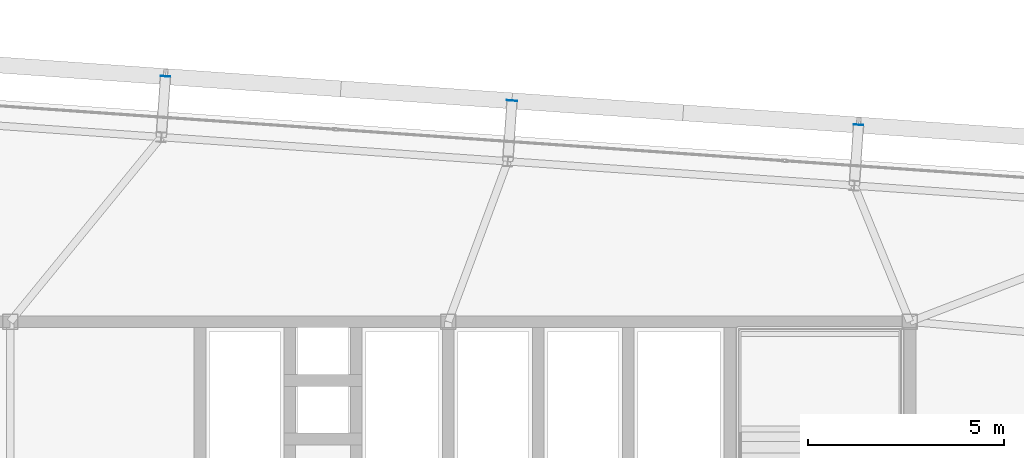
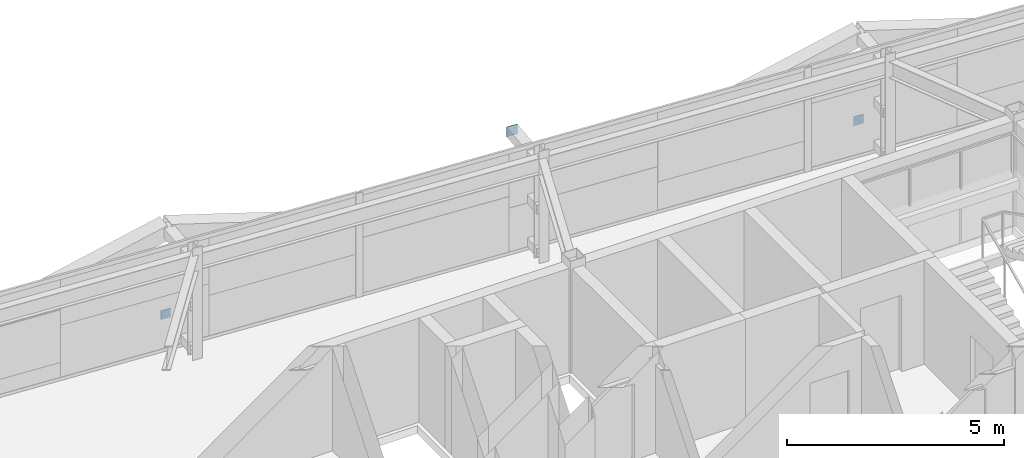
# One storey, part 33 of 39: 3 plates.
"""IFC4 building model written with IfcOpenShell, lengths in metres."""

from ifc_helpers import new_model, si_unit, direction, frame, origin, origin_2d, place, context, subcontext, project, spatial, rectangle, extrude, source, transform, mapped, material, layer, layer_set, type_object, element, save


model = new_model("IFC4")

# Units and contexts
model_context = context("Model", 3, precision=1e-05, world=origin(), true_north=direction((0.0, 1.0)))
body_context = subcontext(model_context, "Body", "Model", "MODEL_VIEW")
ifc_project = project(units=[si_unit("LENGTHUNIT", "METRE"), si_unit("AREAUNIT", "SQUARE_METRE"), si_unit("VOLUMEUNIT", "CUBIC_METRE"), si_unit("PLANEANGLEUNIT", "RADIAN"), si_unit("MASSUNIT", "GRAM", prefix="KILO")], contexts=[model_context])

# Site, building, storey
site_placement = place(None, origin())
site = spatial("IfcSite", under=ifc_project, at=site_placement, CompositionType="ELEMENT")
building_placement = place(site_placement, origin())
building = spatial("IfcBuilding", under=site, at=building_placement, Name="Taldren Reach Tower", CompositionType="ELEMENT")
storey_placement = place(building_placement, frame((0.0, 0.0, 129.85009765625)))
storey = spatial("IfcBuildingStorey", under=building, at=storey_placement, Name="L39", CompositionType="ELEMENT", Elevation=129.85009765625)

# Plates
ifc_material_1 = material(Name="Steel Gr 450 (C450L0)", Category="steel")
ifc_layer_1 = layer(ifc_material_1, 0.011962890625)
ifc_layer_set_1 = layer_set([ifc_layer_1], Name="Steel Gr 450 (C450L0)")
plate_type_1 = type_object("IfcPlateType", Name="PL-CAP-275", PredefinedType="SHEET", material=ifc_layer_set_1)
shared_shape_1 = source(origin(), body_context, "Body", "SweptSolid", [
    extrude(rectangle(XDim=0.27490234375, YDim=0.011962890625, at=origin_2d()), origin(), (0.0, 0.0, 1.0), 0.27490234375),
])
plate_placement = place(storey_placement, frame((40.828125, 37.652587890625, 2.512451171875), z_axis=(0.0, 0.0, 1.0), x_axis=(0.99756405026, -0.069756473744, 0.0)))
element("IfcPlate", 1, at=plate_placement, inside=storey, type_object=plate_type_1, Name="Tie strut end cap plate B3-N4 L39", PredefinedType="SHEET", context=body_context, shape_type="MappedRepresentation", body=[
    mapped(shared_shape_1, transform((0.0, 0.0, 0.0), scale=1.0)),
])
ifc_material_2 = material(Name="Steel Gr 350 (C350L0)", Category="steel")
ifc_layer_2 = layer(ifc_material_2, 0.011962890625)
ifc_layer_set_2 = layer_set([ifc_layer_2], Name="Steel Gr 350 (C350L0)")
plate_type_2 = type_object("IfcPlateType", Name="PL-CAP-250", PredefinedType="SHEET", material=ifc_layer_set_2)
shared_shape_2 = source(origin(), body_context, "Body", "SweptSolid", [
    extrude(rectangle(XDim=0.25, YDim=0.011962890625, at=origin_2d()), origin(), (0.0, 0.0, 1.0), 0.25),
])
for number, where, z_axis, x_axis, name in (
    (2, (31.969970703125, 38.272216796875, 0.094970703125), (0.0, 0.0, 1.0), (0.99756405026, -0.069756473744, 0.0), "Tie strut end cap plate B3-N3 L39"),
    (3, (49.6865234375, 37.033203125, 0.094970703125), (0.0, 0.0, 1.0), (0.99756405026, -0.069756473744, 0.0), "Tie strut end cap plate B3-N5 L39"),
):
    element("IfcPlate", number, at=place(storey_placement, frame(where, z_axis=z_axis, x_axis=x_axis)), inside=storey, type_object=plate_type_2, Name=name, PredefinedType="SHEET", context=body_context, shape_type="MappedRepresentation", body=[
        mapped(shared_shape_2, transform((0.0, 0.0, 0.0), scale=1.0)),
    ])

save(model, "model.ifc")
